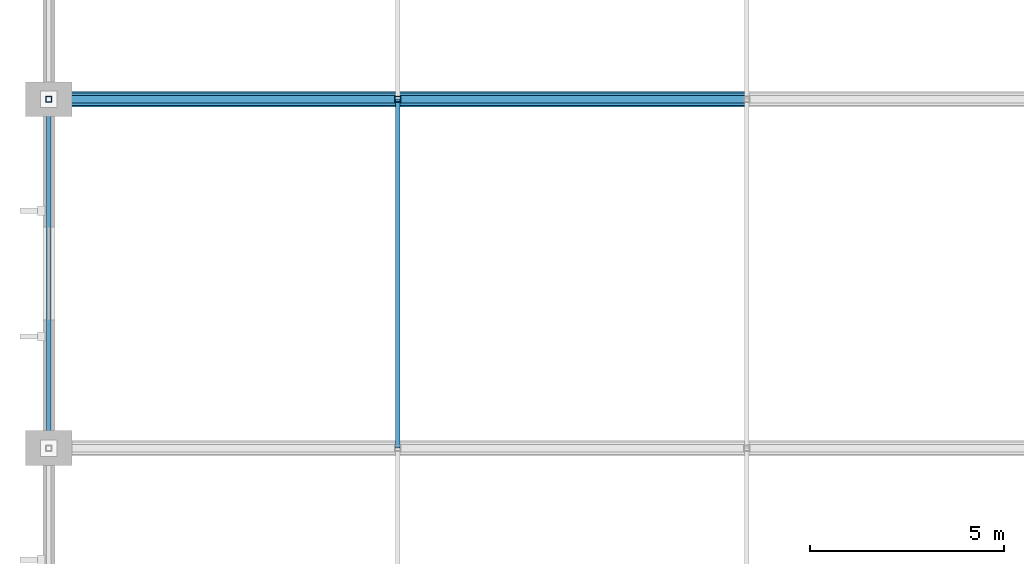
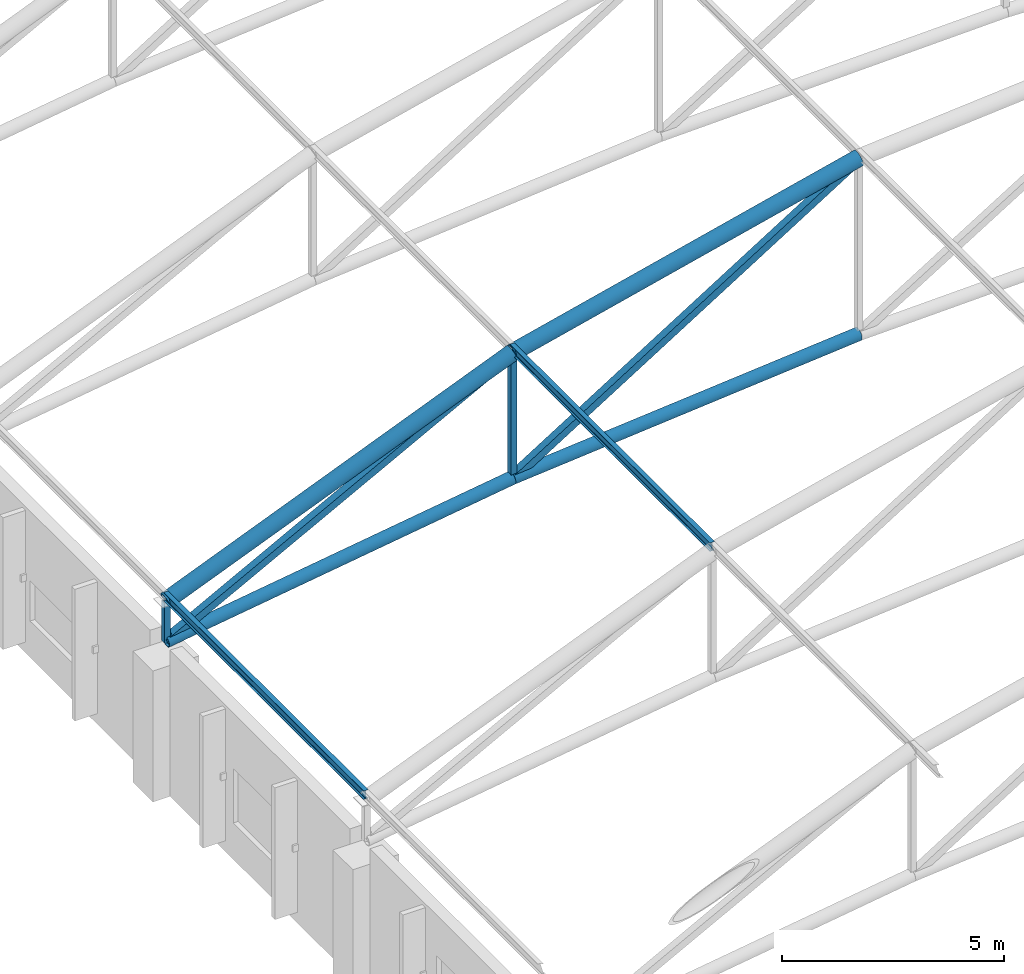
# One storey, part 11 of 167: 10 members.
"""IFC4 building model written with IfcOpenShell, lengths in metres."""

from ifc_helpers import new_model, si_unit, direction, frame, origin, origin_2d, place, context, subcontext, project, spatial, hollow_rectangle, hollow_circle, i_section, extrude, material, material_profile, profile_set, type_object, element, save


model = new_model("IFC4")

# Units and contexts
model_context = context("Model", 3, precision=1e-05, world=origin(), true_north=direction((0.0, 1.0)))
body_context = subcontext(model_context, "Body", "Model", "MODEL_VIEW")
ifc_project = project(units=[si_unit("LENGTHUNIT", "METRE"), si_unit("AREAUNIT", "SQUARE_METRE"), si_unit("VOLUMEUNIT", "CUBIC_METRE"), si_unit("PLANEANGLEUNIT", "RADIAN"), si_unit("MASSUNIT", "GRAM", prefix="KILO")], contexts=[model_context])

# Site, building, storey
site_placement = place(None, origin())
site = spatial("IfcSite", under=ifc_project, at=site_placement, CompositionType="ELEMENT")
building_placement = place(site_placement, origin())
building = spatial("IfcBuilding", under=site, at=building_placement, Name="Dornveld Trade and Exhibition Forum", CompositionType="ELEMENT")
storey_placement = place(building_placement, frame((0.0, 0.0, 16.800048828125)))
storey = spatial("IfcBuildingStorey", under=building, at=storey_placement, Name="L03", CompositionType="ELEMENT", Elevation=16.800048828125)

# Members
ifc_material_1 = material(Name="Steel S355J2", Category="steel")
ifc_material_profile_1 = material_profile(ifc_material_1, hollow_circle(Radius=0.161865234375, WallThickness=0.01611328125, at=origin_2d()), Name="CHS 323.9x16")
ifc_profile_set_1 = profile_set([ifc_material_profile_1], Name="Steel S355J2")
member_type_1 = type_object("IfcMemberType", Name="MEM-ARCH-BC", PredefinedType="CHORD", material=ifc_profile_set_1)
member_1_placement = place(storey_placement, frame((27.0, 63.0, 3.949951171875), z_axis=(0.989204758987, 0.0, 0.146539908551), x_axis=(0.0, 1.0, 0.0)))
element("IfcMember", 1, at=member_1_placement, inside=storey, type_object=member_type_1, Name="H3 truss 4 tie chord 1", PredefinedType="CHORD", context=body_context, shape_type="SweptSolid", body=[
    extrude(hollow_circle(Radius=0.161865234375, WallThickness=0.01611328125, at=origin_2d()), origin(), (0.0, 0.0, 1.0), 9.09814453125),
])
member_2_placement = place(storey_placement, frame((36.0, 63.0, 5.283203125), z_axis=(0.996072164085, 0.0, 0.088545151956), x_axis=(0.0, 1.0, 0.0)))
element("IfcMember", 2, at=member_2_placement, inside=storey, type_object=member_type_1, Name="H3 truss 4 tie chord 2", PredefinedType="CHORD", context=body_context, shape_type="SweptSolid", body=[
    extrude(hollow_circle(Radius=0.161865234375, WallThickness=0.01611328125, at=origin_2d()), origin(), (0.0, 0.0, 1.0), 9.035400390625),
])
ifc_material_2 = material(Name="Steel S355J2", Category="steel")
ifc_material_profile_2 = material_profile(ifc_material_2, hollow_rectangle(XDim=0.14990234375, YDim=0.14990234375, WallThickness=0.008056640625, at=origin_2d()), Name="SHS 150x150x8")
ifc_profile_set_2 = profile_set([ifc_material_profile_2], Name="Steel S355J2")
member_type_2 = type_object("IfcMemberType", Name="MEM-ARCH-STR", PredefinedType="STRUT", material=ifc_profile_set_2)
member_3_placement = place(storey_placement, frame((27.0, 63.0, 3.949951171875), z_axis=(0.0, 0.0, 1.0), x_axis=(1.0, 0.0, 0.0)))
element("IfcMember", 3, at=member_3_placement, inside=storey, type_object=member_type_2, Name="H3 truss 4 strut 1", PredefinedType="STRUT", context=body_context, shape_type="SweptSolid", body=[
    extrude(hollow_rectangle(XDim=0.14990234375, YDim=0.14990234375, WallThickness=0.008056640625, at=origin_2d()), origin(), (0.0, 0.0, 1.0), 1.10009765625),
])
member_4_placement = place(storey_placement, frame((36.0, 63.0, 5.283203125), z_axis=(0.0, 0.0, 1.0), x_axis=(1.0, 0.0, 0.0)))
element("IfcMember", 4, at=member_4_placement, inside=storey, type_object=member_type_2, Name="H3 truss 4 strut 2", PredefinedType="STRUT", context=body_context, shape_type="SweptSolid", body=[
    extrude(hollow_rectangle(XDim=0.14990234375, YDim=0.14990234375, WallThickness=0.008056640625, at=origin_2d()), origin(), (0.0, 0.0, 1.0), 3.433349609375),
])
ifc_material_3 = material(Name="Steel S355J2", Category="steel")
ifc_material_profile_3 = material_profile(ifc_material_3, hollow_circle(Radius=0.203125, WallThickness=0.02001953125, at=origin_2d()), Name="CHS 406.4x20")
ifc_profile_set_3 = profile_set([ifc_material_profile_3], Name="Steel S355J2")
member_type_3 = type_object("IfcMemberType", Name="MEM-ARCH-TC", PredefinedType="CHORD", material=ifc_profile_set_3)
member_5_placement = place(storey_placement, frame((27.0, 63.0, 5.050048828125), z_axis=(0.926098211611, 0.0, 0.377282523383), x_axis=(0.0, 1.0, 0.0)))
element("IfcMember", 5, at=member_5_placement, inside=storey, type_object=member_type_3, Name="H3 truss 4 top chord 1", PredefinedType="CHORD", context=body_context, shape_type="SweptSolid", body=[
    extrude(hollow_circle(Radius=0.203125, WallThickness=0.02001953125, at=origin_2d()), origin(), (0.0, 0.0, 1.0), 9.71826171875),
])
member_6_placement = place(storey_placement, frame((36.0, 63.0, 8.716552734375), z_axis=(0.971394143806, 0.0, 0.237472982421), x_axis=(0.0, 1.0, 0.0)))
element("IfcMember", 6, at=member_6_placement, inside=storey, type_object=member_type_3, Name="H3 truss 4 top chord 2", PredefinedType="CHORD", context=body_context, shape_type="SweptSolid", body=[
    extrude(hollow_circle(Radius=0.203125, WallThickness=0.02001953125, at=origin_2d()), origin(), (0.0, 0.0, 1.0), 9.26513671875),
])
ifc_material_4 = material(Name="Steel S355J2", Category="steel")
ifc_material_profile_4 = material_profile(ifc_material_4, hollow_rectangle(XDim=0.199951171875, YDim=0.199951171875, WallThickness=0.010009765625, at=origin_2d()), Name="SHS 200x200x10")
ifc_profile_set_4 = profile_set([ifc_material_profile_4], Name="Steel S355J2")
member_type_4 = type_object("IfcMemberType", Name="MEM-ARCH-WEB", PredefinedType="BRACE", material=ifc_profile_set_4)
member_7_placement = place(storey_placement, frame((27.0, 63.0, 3.949951171875), z_axis=(0.883710934211, 0.0, 0.468033102201), x_axis=(0.0, 1.0, 0.0)))
element("IfcMember", 7, at=member_7_placement, inside=storey, type_object=member_type_4, Name="H3 truss 4 web 1", PredefinedType="BRACE", context=body_context, shape_type="SweptSolid", body=[
    extrude(hollow_rectangle(XDim=0.199951171875, YDim=0.199951171875, WallThickness=0.010009765625, at=origin_2d()), origin(), (0.0, 0.0, 1.0), 10.184326171875),
])
member_8_placement = place(storey_placement, frame((36.0, 63.0, 5.283203125), z_axis=(0.84763640931, 0.0, 0.53057753214), x_axis=(0.0, 1.0, 0.0)))
element("IfcMember", 8, at=member_8_placement, inside=storey, type_object=member_type_4, Name="H3 truss 4 web 2", PredefinedType="BRACE", context=body_context, shape_type="SweptSolid", body=[
    extrude(hollow_rectangle(XDim=0.199951171875, YDim=0.199951171875, WallThickness=0.010009765625, at=origin_2d()), origin(), (0.0, 0.0, 1.0), 10.61767578125),
])
ifc_material_5 = material(Name="Steel S355J2", Category="steel")
ifc_material_profile_5 = material_profile(ifc_material_5, i_section(OverallWidth=0.1201171875, OverallDepth=0.239990234375, WebThickness=0.006103515625, FlangeThickness=0.009765625, FilletRadius=0.014892578125, at=origin_2d()), Name="IPE 240")
ifc_profile_set_5 = profile_set([ifc_material_profile_5], Name="Steel S355J2")
member_type_5 = type_object("IfcMemberType", Name="MEM-PURLIN-240", PredefinedType="PURLIN", material=ifc_profile_set_5)
for number, where, z_axis, x_axis, name in (
    (9, (27.0, 54.0, 5.181884765625), (0.0, 1.0, 0.0), (-1.0, 0.0, 0.0), "H3 bay 3 roof purlin 1"),
    (10, (36.0, 54.0, 8.8486328125), (0.0, 1.0, 0.0), (-1.0, 0.0, 0.0), "H3 bay 3 roof purlin 2"),
):
    element("IfcMember", number, at=place(storey_placement, frame(where, z_axis=z_axis, x_axis=x_axis)), inside=storey, type_object=member_type_5, Name=name, PredefinedType="PURLIN", context=body_context, shape_type="SweptSolid", body=[
        extrude(i_section(OverallWidth=0.1201171875, OverallDepth=0.239990234375, WebThickness=0.006103515625, FlangeThickness=0.009765625, FilletRadius=0.014892578125, at=origin_2d()), origin(), (0.0, 0.0, 1.0), 9.0),
    ])

save(model, "model.ifc")
